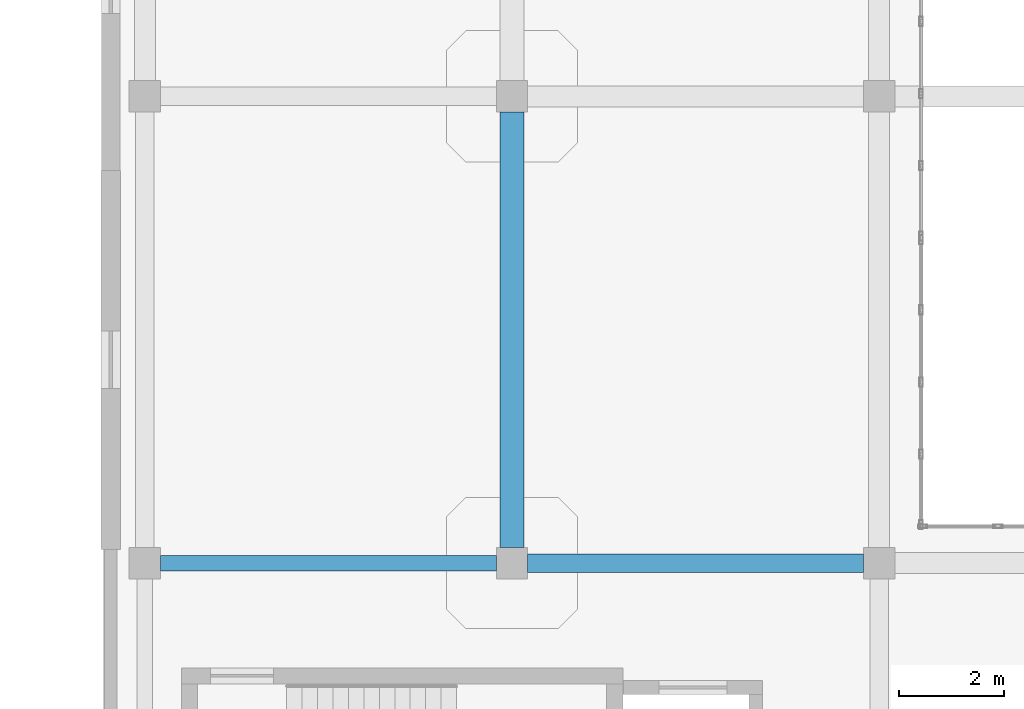
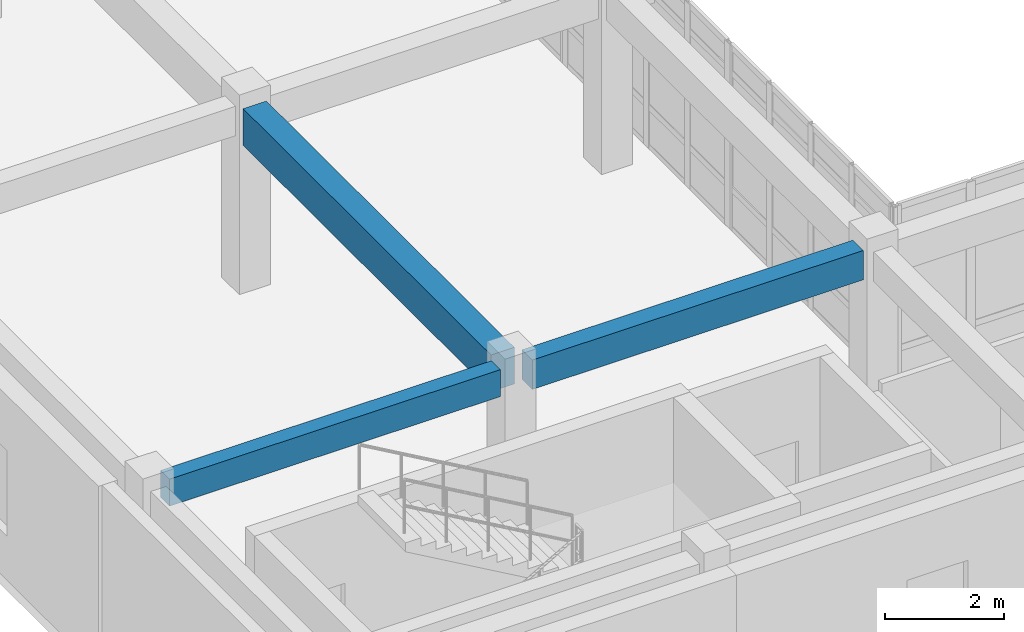
# One storey, part 44 of 91: 3 beams.
"""IFC4 building model written with IfcOpenShell, lengths in metres."""

from ifc_helpers import new_model, si_unit, direction, frame, origin, origin_2d, place, context, subcontext, project, spatial, rectangle, extrude, material, material_profile, profile_set, type_object, element, save


model = new_model("IFC4")

# Units and contexts
model_context = context("Model", 3, precision=1e-05, world=origin(), true_north=direction((0.0, 1.0)))
body_context = subcontext(model_context, "Body", "Model", "MODEL_VIEW")
ifc_project = project(units=[si_unit("LENGTHUNIT", "METRE"), si_unit("AREAUNIT", "SQUARE_METRE"), si_unit("VOLUMEUNIT", "CUBIC_METRE"), si_unit("PLANEANGLEUNIT", "RADIAN"), si_unit("MASSUNIT", "GRAM", prefix="KILO")], contexts=[model_context])

# Site, building, storey
site_placement = place(None, origin())
site = spatial("IfcSite", under=ifc_project, at=site_placement, CompositionType="ELEMENT")
building_placement = place(site_placement, origin())
building = spatial("IfcBuilding", under=site, at=building_placement, Name="Valcora Specialist Clinic", CompositionType="ELEMENT")
storey_placement = place(building_placement, frame((0.0, 0.0, 13.60009765625)))
storey = spatial("IfcBuildingStorey", under=building, at=storey_placement, Name="L03", CompositionType="ELEMENT", Elevation=13.60009765625)

# Beams
ifc_material = material(Name="Concrete C40/50", Category="concrete")
ifc_material_profile_1 = material_profile(ifc_material, rectangle(XDim=0.300048828125, YDim=0.550048828125, at=origin_2d()), Name="RC-BM-300X550")
ifc_profile_set_1 = profile_set([ifc_material_profile_1], Name="Concrete C40/50")
beam_type_1 = type_object("IfcBeamType", Name="TY-BM-RC300X550", PredefinedType="BEAM", material=ifc_profile_set_1)
beam_1_placement = place(storey_placement, frame((62.300048828125, 81.300048828125, 3.5), z_axis=(1.0, 0.0, 0.0), x_axis=(0.0, 1.0, 0.0)))
element("IfcBeam", 1, at=beam_1_placement, inside=storey, type_object=beam_type_1, Name="Beam BM-L03-0775", PredefinedType="BEAM", context=body_context, shape_type="SweptSolid", body=[
    extrude(rectangle(XDim=0.300048828125, YDim=0.550048828125, at=origin_2d()), origin(), (0.0, 0.0, 1.0), 6.39990234375),
])
ifc_material_profile_2 = material_profile(ifc_material, rectangle(XDim=0.35009765625, YDim=0.60009765625, at=origin_2d()), Name="RC-BM-350X600")
ifc_profile_set_2 = profile_set([ifc_material_profile_2], Name="Concrete C40/50")
beam_type_2 = type_object("IfcBeamType", Name="TY-BM-RC350X600", PredefinedType="BEAM", material=ifc_profile_set_2)
beam_2_placement = place(storey_placement, frame((69.300048828125, 81.300048828125, 3.474853515625), z_axis=(1.0, 0.0, 0.0), x_axis=(0.0, 1.0, 0.0)))
element("IfcBeam", 2, at=beam_2_placement, inside=storey, type_object=beam_type_2, Name="Beam BM-L03-0776", PredefinedType="BEAM", context=body_context, shape_type="SweptSolid", body=[
    extrude(rectangle(XDim=0.35009765625, YDim=0.60009765625, at=origin_2d()), origin(), (0.0, 0.0, 1.0), 6.39990234375),
])
ifc_material_profile_3 = material_profile(ifc_material, rectangle(XDim=0.449951171875, YDim=0.75, at=origin_2d()), Name="RC-BM-450X750")
ifc_profile_set_3 = profile_set([ifc_material_profile_3], Name="Concrete C40/50")
beam_type_3 = type_object("IfcBeamType", Name="TY-BM-RC450X750", PredefinedType="BEAM", material=ifc_profile_set_3)
beam_3_placement = place(storey_placement, frame((69.0, 81.60009765625, 3.39990234375), z_axis=(0.0, 1.0, 0.0), x_axis=(-1.0, 0.0, 0.0)))
element("IfcBeam", 3, at=beam_3_placement, inside=storey, type_object=beam_type_3, Name="Beam BM-L03-0807", PredefinedType="BEAM", context=body_context, shape_type="SweptSolid", body=[
    extrude(rectangle(XDim=0.449951171875, YDim=0.75, at=origin_2d()), origin(), (0.0, 0.0, 1.0), 8.2998046875),
])

save(model, "model.ifc")
